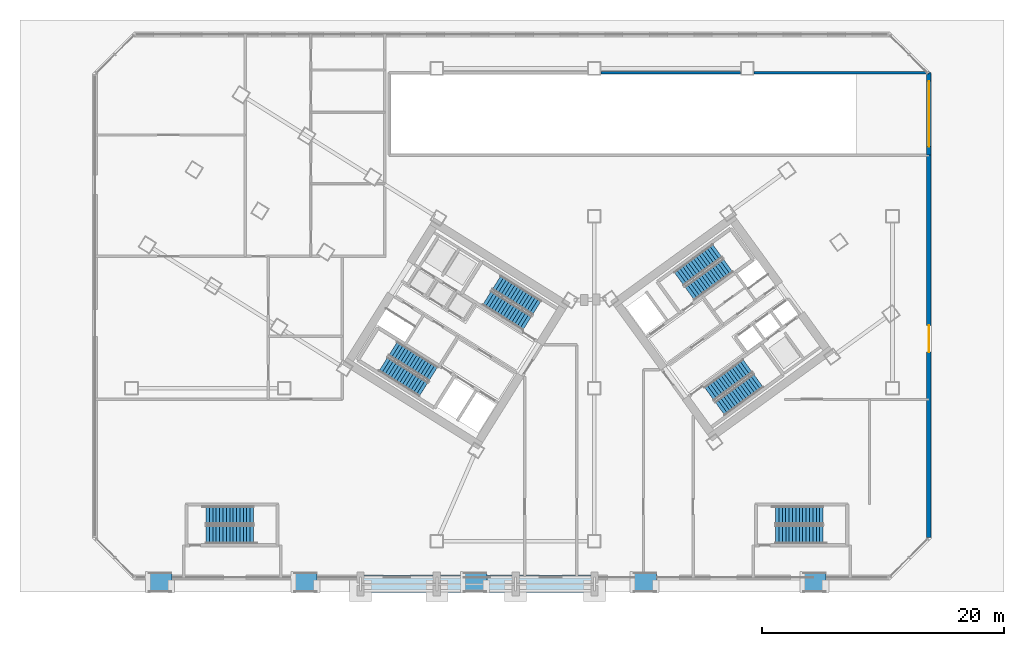
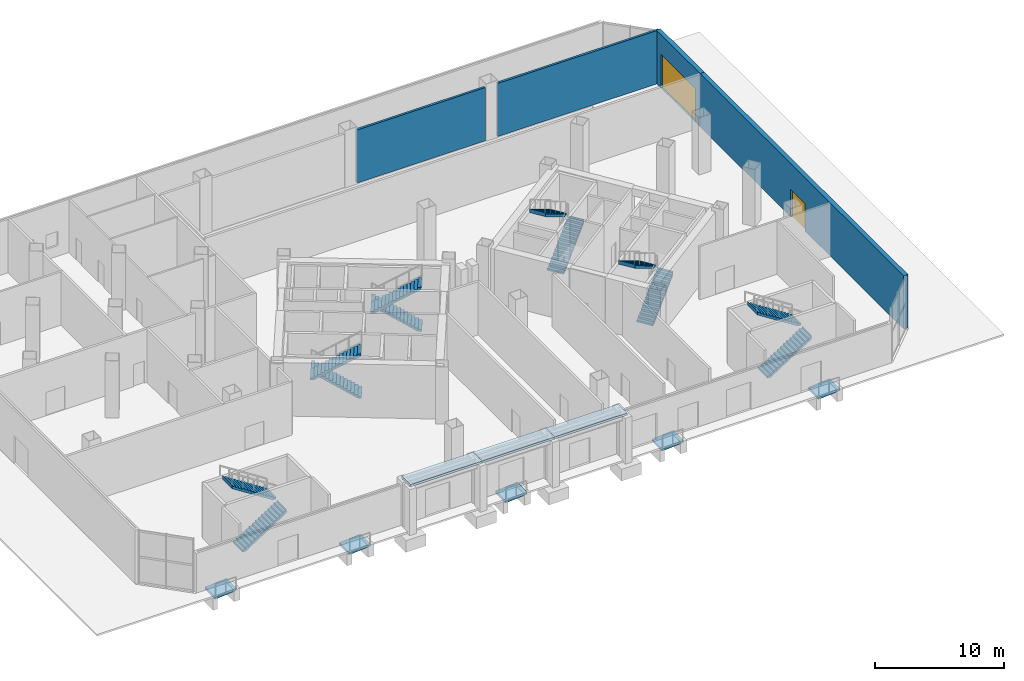
# One storey, part 14 of 22: 12 stair flights, 5 ramp flights, 4 walls, 3 roofs, 2 doors, 2 openings, 11 elements without a shape of their own.
"""IFC4 building model written with IfcOpenShell, lengths in metres."""

from ifc_helpers import new_model, si_unit, direction, frame, frame_2d, origin, place, context, subcontext, project, spatial, polyline, rectangle, outline, extrude, source, transform, mapped, material, layer, layer_set, type_object, element, fill, aggregate, save


model = new_model("IFC4")

# Units and contexts
model_context = context("Model", 3, precision=1e-05, world=origin(), true_north=direction((0.0, 1.0)))
body_context = subcontext(model_context, "Body", "Model", "MODEL_VIEW")
ifc_project = project(units=[si_unit("LENGTHUNIT", "METRE"), si_unit("AREAUNIT", "SQUARE_METRE"), si_unit("VOLUMEUNIT", "CUBIC_METRE"), si_unit("PLANEANGLEUNIT", "RADIAN"), si_unit("MASSUNIT", "GRAM", prefix="KILO")], contexts=[model_context])

# Site, building, storey
site_placement = place(None, origin())
site = spatial("IfcSite", under=ifc_project, at=site_placement, CompositionType="ELEMENT")
building_placement = place(site_placement, origin())
building = spatial("IfcBuilding", under=site, at=building_placement, Name="Tlacorven Tower", CompositionType="ELEMENT")
storey_placement = place(building_placement, origin())
storey = spatial("IfcBuildingStorey", under=building, at=storey_placement, Name="L00", CompositionType="ELEMENT", Elevation=0.0)

# Wall, opening, door
ifc_material_1 = material(Name="Precast concrete C45/55", Category="concrete")
ifc_layer_1 = layer(ifc_material_1, 0.3798828125)
ifc_layer_set_1 = layer_set([ifc_layer_1], Name="Precast concrete C45/55")
wall_type_1 = type_object("IfcWallType", Name="WL-EXT-380", PredefinedType="STANDARD", material=ifc_layer_set_1)
wall_1_placement = place(storey_placement, frame((70.39990234375, 4.8828125, 0.0), z_axis=(0.0, 0.0, 1.0), x_axis=(0.0, 1.0, 0.0)))
wall_1 = element("IfcWall", 1, at=wall_1_placement, inside=storey, type_object=wall_type_1, Name="L00 East Podium Masonry Facade South Segment", PredefinedType="STANDARD", context=body_context, shape_type="SweptSolid", body=[
    extrude(rectangle(XDim=31.567138671875, YDim=0.3798828125, at=frame_2d((15.78369140625, 0.0))), origin(), (0.0, 0.0, 1.0), 5.050048828125),
])
opening_1_placement = place(wall_1_placement, frame((15.317138671875, 0.0, 0.0)))
opening_1 = element("IfcOpeningElement", 2, at=opening_1_placement, cuts=wall_1, Name="Opening D02", PredefinedType="OPENING", context=body_context, shape_type="SweptSolid", body=[
    extrude(rectangle(XDim=2.199951171875, YDim=2.60009765625, at=frame_2d((1.10009765625, 1.300048828125))), frame((0.0, 0.199951171875, 0.0), z_axis=(0.0, -1.0, 0.0), x_axis=(1.0, 0.0, 0.0)), (0.0, 0.0, 1.0), 0.39990234375),
])
ifc_material_2 = material(Name="Powder-coated aluminium and timber door", Category="wood")
door_type_1 = type_object("IfcDoorType", Name="DR-EXT-ENTR-2200", OperationType="DOUBLE_DOOR_SINGLE_SWING", PredefinedType="DOOR", material=ifc_material_2)
shared_shape_1 = source(origin(), body_context, "Body", "SweptSolid", [
    extrude(rectangle(XDim=2.199951171875, YDim=2.60009765625, at=frame_2d((1.10009765625, 1.300048828125))), frame((0.0, 0.02490234375, 0.0), z_axis=(0.0, -1.0, 0.0), x_axis=(1.0, 0.0, 0.0)), (0.0, 0.0, 1.0), 0.050048828125),
])
door_1_placement = place(opening_1_placement, frame((2.199951171875, 0.0, 0.0), z_axis=(0.0, 0.0, 1.0), x_axis=(-1.0, 0.0, 0.0)))
door_1 = element("IfcDoor", 3, at=door_1_placement, inside=storey, type_object=door_type_1, Name="L00 East Concourse Street Entrance Door", OperationType="DOUBLE_DOOR_SINGLE_SWING", OverallHeight=2.60009765625, OverallWidth=2.199951171875, PredefinedType="DOOR", context=body_context, shape_type="MappedRepresentation", body=[
    mapped(shared_shape_1, transform((0.0, 0.0, 0.0), scale=1.0)),
])
fill(opening_1, door_1)

wall_2_placement = place(storey_placement, frame((70.39990234375, 36.449951171875, 0.0), z_axis=(0.0, 0.0, 1.0), x_axis=(0.0, 1.0, 0.0)))
wall_2 = element("IfcWall", 4, at=wall_2_placement, inside=storey, type_object=wall_type_1, Name="L00 Car Park Ramp Portal Masonry Arch Wall", PredefinedType="STANDARD", context=body_context, shape_type="SweptSolid", body=[
    extrude(rectangle(XDim=6.800048828125, YDim=0.3798828125, at=frame_2d((3.39990234375, 0.0))), origin(), (0.0, 0.0, 1.0), 5.050048828125),
])
opening_2_placement = place(wall_2_placement, frame((0.699951171875, 0.0, 0.0)))
opening_2 = element("IfcOpeningElement", 5, at=opening_2_placement, cuts=wall_2, Name="Opening VG01", PredefinedType="OPENING", context=body_context, shape_type="SweptSolid", body=[
    extrude(rectangle(XDim=5.39990234375, YDim=3.199951171875, at=frame_2d((2.699951171875, 1.60009765625))), frame((0.0, 0.199951171875, 0.0), z_axis=(0.0, -1.0, 0.0), x_axis=(1.0, 0.0, 0.0)), (0.0, 0.0, 1.0), 0.39990234375),
])
ifc_material_3 = material(Name="Galvanised steel roller shutter", Category="steel")
door_type_2 = type_object("IfcDoorType", Name="DR-VEH-GATE-5400", OperationType="ROLLINGUP", PredefinedType="GATE", material=ifc_material_3)
shared_shape_2 = source(origin(), body_context, "Body", "SweptSolid", [
    extrude(rectangle(XDim=5.39990234375, YDim=3.199951171875, at=frame_2d((2.699951171875, 1.60009765625))), frame((0.0, 0.02490234375, 0.0), z_axis=(0.0, -1.0, 0.0), x_axis=(1.0, 0.0, 0.0)), (0.0, 0.0, 1.0), 0.050048828125),
])
door_2_placement = place(opening_2_placement, origin())
door_2 = element("IfcDoor", 6, at=door_2_placement, inside=storey, type_object=door_type_2, Name="L00 Car Park Ramp Security Roller Shutter Gate", OperationType="ROLLINGUP", OverallHeight=3.199951171875, OverallWidth=5.39990234375, PredefinedType="GATE", context=body_context, shape_type="MappedRepresentation", body=[
    mapped(shared_shape_2, transform((0.0, 0.0, 0.0), scale=1.0)),
])
fill(opening_2, door_2)

# Walls
ifc_material_4 = material(Name="Concrete C40/50", Category="concrete")
ifc_layer_2 = layer(ifc_material_4, 0.199951171875)
ifc_layer_set_2 = layer_set([ifc_layer_2], Name="Concrete C40/50")
wall_type_2 = type_object("IfcWallType", Name="WL-SHF-200", PredefinedType="STANDARD", material=ifc_layer_set_2)
wall_3_placement = place(storey_placement, frame((43.35205078125, 43.25, 0.0), z_axis=(0.0, 0.0, 1.0), x_axis=(1.0, 0.0, 0.0)))
element("IfcWall", 7, at=wall_3_placement, inside=storey, type_object=wall_type_2, Name="L00 partition 85", PredefinedType="STANDARD", context=body_context, shape_type="SweptSolid", body=[
    extrude(rectangle(XDim=11.495849609375, YDim=0.199951171875, at=frame_2d((5.748046875, 0.0))), origin(), (0.0, 0.0, 1.0), 5.0400390625),
])
wall_4_placement = place(storey_placement, frame((55.951904296875, 43.25, 0.0), z_axis=(0.0, 0.0, 1.0), x_axis=(1.0, 0.0, 0.0)))
element("IfcWall", 8, at=wall_4_placement, inside=storey, type_object=wall_type_2, Name="L00 partition 85", PredefinedType="STANDARD", context=body_context, shape_type="SweptSolid", body=[
    extrude(rectangle(XDim=14.447998046875, YDim=0.199951171875, at=frame_2d((7.22412109375, 0.0))), origin(), (0.0, 0.0, 1.0), 5.0400390625),
])

# Stair, stair flights
stair_type_1 = type_object("IfcStairType", Name="ST-CORE-DLG", PredefinedType="HALF_TURN_STAIR", material=ifc_material_4)
stair_1_placement = place(storey_placement, origin())
stair_1 = element("IfcStair", 9, at=stair_1_placement, inside=storey, type_object=stair_type_1, Name="L00 Protected Exit Stair West 1", PredefinedType="HALF_TURN_STAIR")
stair_flight_type_1 = type_object("IfcStairFlightType", Name="SFL-RC-1380", PredefinedType="STRAIGHT", material=ifc_material_4)
shared_shape_3 = source(origin(), body_context, "Body", "SweptSolid", [
    extrude(outline(polyline([(-0.0029296875, -0.0029296875), (-0.0029296875, 0.179931640625), (0.280029296875, 0.179931640625), (0.280029296875, 0.360107421875), (0.56005859375, 0.360107421875), (0.56005859375, 0.5400390625), (0.840087890625, 0.5400390625), (0.840087890625, 0.719970703125), (1.1201171875, 0.719970703125), (1.1201171875, 0.89990234375), (1.39990234375, 0.89990234375), (1.39990234375, 1.080078125), (1.679931640625, 1.080078125), (1.679931640625, 1.260009765625), (1.9599609375, 1.260009765625), (1.9599609375, 1.43994140625), (2.239990234375, 1.43994140625), (2.239990234375, 1.6201171875), (2.52001953125, 1.6201171875), (2.52001953125, 1.800048828125), (2.800048828125, 1.800048828125), (2.800048828125, 1.97998046875), (3.080078125, 1.97998046875), (3.080078125, 2.159912109375), (3.360107421875, 2.159912109375), (3.360107421875, 2.340087890625), (3.639892578125, 2.340087890625), (3.639892578125, 2.52001953125), (3.919921875, 2.52001953125), (3.919921875, 2.699951171875), (3.923095703125, 2.699951171875), (3.923095703125, 2.329833984375), (3.919921875, 2.329833984375), (0.295654296875, 0.0), (0.295654296875, -0.0029296875), (-0.0029296875, -0.0029296875)])), frame((0.0, 0.68994140625, 0.0), z_axis=(0.0, -1.0, 0.0), x_axis=(1.0, 0.0, 0.0)), (0.0, 0.0, 1.0), 1.3798828125),
])
stair_flight_1_placement = place(storey_placement, frame((29.499755859375, 18.39453125, 0.0), z_axis=(0.0, 0.0, 1.0), x_axis=(-0.848048096156, 0.529919264233, 0.0)))
stair_flight_1 = element("IfcStairFlight", 10, at=stair_flight_1_placement, type_object=stair_flight_type_1, Name="ST-W1 flight 1", NumberOfRisers=15, NumberOfTreads=14, PredefinedType="STRAIGHT", RiserHeight=0.18, TreadLength=0.28, context=body_context, shape_type="MappedRepresentation", body=[
    mapped(shared_shape_3, transform((0.0, 0.0, 0.0), scale=1.0)),
])
stair_flight_2_placement = place(storey_placement, frame((25.380615234375, 19.19970703125, 2.699951171875), z_axis=(0.0, 0.0, 1.0), x_axis=(0.848048096156, -0.529919264233, 0.0)))
stair_flight_2 = element("IfcStairFlight", 11, at=stair_flight_2_placement, type_object=stair_flight_type_1, Name="ST-W1 flight 2", NumberOfRisers=15, NumberOfTreads=14, PredefinedType="STRAIGHT", RiserHeight=0.18, TreadLength=0.28, context=body_context, shape_type="MappedRepresentation", body=[
    mapped(shared_shape_3, transform((0.0, 0.0, 0.0), scale=1.0)),
])
aggregate(stair_1, [stair_flight_1, stair_flight_2])

stair_2_placement = place(storey_placement, origin())
stair_2 = element("IfcStair", 12, at=stair_2_placement, inside=storey, type_object=stair_type_1, Name="L00 Protected Exit Stair West 2", PredefinedType="HALF_TURN_STAIR")
stair_flight_3_placement = place(storey_placement, frame((38.051513671875, 23.852294921875, 0.0), z_axis=(0.0, 0.0, 1.0), x_axis=(-0.848048096156, 0.529919264233, 0.0)))
stair_flight_3 = element("IfcStairFlight", 13, at=stair_flight_3_placement, type_object=stair_flight_type_1, Name="ST-W2 flight 1", NumberOfRisers=15, NumberOfTreads=14, PredefinedType="STRAIGHT", RiserHeight=0.18, TreadLength=0.28, context=body_context, shape_type="MappedRepresentation", body=[
    mapped(shared_shape_3, transform((0.0, 0.0, 0.0), scale=1.0)),
])
stair_flight_4_placement = place(storey_placement, frame((33.93212890625, 24.657470703125, 2.699951171875), z_axis=(0.0, 0.0, 1.0), x_axis=(0.848048096156, -0.529919264233, 0.0)))
stair_flight_4 = element("IfcStairFlight", 14, at=stair_flight_4_placement, type_object=stair_flight_type_1, Name="ST-W2 flight 2", NumberOfRisers=15, NumberOfTreads=14, PredefinedType="STRAIGHT", RiserHeight=0.18, TreadLength=0.28, context=body_context, shape_type="MappedRepresentation", body=[
    mapped(shared_shape_3, transform((0.0, 0.0, 0.0), scale=1.0)),
])
aggregate(stair_2, [stair_flight_3, stair_flight_4])

stair_3_placement = place(storey_placement, origin())
stair_3 = element("IfcStair", 15, at=stair_3_placement, inside=storey, type_object=stair_type_1, Name="L00 Protected Exit Stair East 1", PredefinedType="HALF_TURN_STAIR")
stair_flight_5_placement = place(storey_placement, frame((50.6533203125, 25.0400390625, 0.0), z_axis=(0.0, 0.0, 1.0), x_axis=(0.809016994375, 0.587785252292, 0.0)))
stair_flight_5 = element("IfcStairFlight", 16, at=stair_flight_5_placement, type_object=stair_flight_type_1, Name="ST-E1 flight 1", NumberOfRisers=15, NumberOfTreads=14, PredefinedType="STRAIGHT", RiserHeight=0.18, TreadLength=0.28, context=body_context, shape_type="MappedRepresentation", body=[
    mapped(shared_shape_3, transform((0.0, 0.0, 0.0), scale=1.0)),
])
stair_flight_6_placement = place(storey_placement, frame((52.943115234375, 28.5576171875, 2.699951171875), z_axis=(0.0, 0.0, 1.0), x_axis=(-0.809016994375, -0.587785252292, 0.0)))
stair_flight_6 = element("IfcStairFlight", 17, at=stair_flight_6_placement, type_object=stair_flight_type_1, Name="ST-E1 flight 2", NumberOfRisers=15, NumberOfTreads=14, PredefinedType="STRAIGHT", RiserHeight=0.18, TreadLength=0.28, context=body_context, shape_type="MappedRepresentation", body=[
    mapped(shared_shape_3, transform((0.0, 0.0, 0.0), scale=1.0)),
])
aggregate(stair_3, [stair_flight_5, stair_flight_6])

stair_4_placement = place(storey_placement, origin())
stair_4 = element("IfcStair", 18, at=stair_4_placement, inside=storey, type_object=stair_type_1, Name="L00 Protected Exit Stair East 2", PredefinedType="HALF_TURN_STAIR")
stair_flight_7_placement = place(storey_placement, frame((53.157470703125, 15.536865234375, 0.0), z_axis=(0.0, 0.0, 1.0), x_axis=(0.809016994375, 0.587785252292, 0.0)))
stair_flight_7 = element("IfcStairFlight", 19, at=stair_flight_7_placement, type_object=stair_flight_type_1, Name="ST-E2 flight 1", NumberOfRisers=15, NumberOfTreads=14, PredefinedType="STRAIGHT", RiserHeight=0.18, TreadLength=0.28, context=body_context, shape_type="MappedRepresentation", body=[
    mapped(shared_shape_3, transform((0.0, 0.0, 0.0), scale=1.0)),
])
stair_flight_8_placement = place(storey_placement, frame((55.447021484375, 19.054443359375, 2.699951171875), z_axis=(0.0, 0.0, 1.0), x_axis=(-0.809016994375, -0.587785252292, 0.0)))
stair_flight_8 = element("IfcStairFlight", 20, at=stair_flight_8_placement, type_object=stair_flight_type_1, Name="ST-E2 flight 2", NumberOfRisers=15, NumberOfTreads=14, PredefinedType="STRAIGHT", RiserHeight=0.18, TreadLength=0.28, context=body_context, shape_type="MappedRepresentation", body=[
    mapped(shared_shape_3, transform((0.0, 0.0, 0.0), scale=1.0)),
])
aggregate(stair_4, [stair_flight_7, stair_flight_8])

stair_type_2 = type_object("IfcStairType", Name="ST-POD-DLG", PredefinedType="HALF_TURN_STAIR", material=ifc_material_4)
stair_5_placement = place(storey_placement, origin())
stair_5 = element("IfcStair", 21, at=stair_5_placement, inside=storey, type_object=stair_type_2, Name="L00 Podium Station Exit Stair 1", PredefinedType="HALF_TURN_STAIR")
stair_flight_type_2 = type_object("IfcStairFlightType", Name="SFL-RC-1480", PredefinedType="STRAIGHT", material=ifc_material_4)
shared_shape_4 = source(origin(), body_context, "Body", "SweptSolid", [
    extrude(outline(polyline([(-0.0029296875, -0.0029296875), (-0.0029296875, 0.179931640625), (0.280029296875, 0.179931640625), (0.280029296875, 0.360107421875), (0.56005859375, 0.360107421875), (0.56005859375, 0.5400390625), (0.840087890625, 0.5400390625), (0.840087890625, 0.719970703125), (1.1201171875, 0.719970703125), (1.1201171875, 0.89990234375), (1.39990234375, 0.89990234375), (1.39990234375, 1.080078125), (1.679931640625, 1.080078125), (1.679931640625, 1.260009765625), (1.9599609375, 1.260009765625), (1.9599609375, 1.43994140625), (2.239990234375, 1.43994140625), (2.239990234375, 1.6201171875), (2.52001953125, 1.6201171875), (2.52001953125, 1.800048828125), (2.800048828125, 1.800048828125), (2.800048828125, 1.97998046875), (3.080078125, 1.97998046875), (3.080078125, 2.159912109375), (3.360107421875, 2.159912109375), (3.360107421875, 2.340087890625), (3.639892578125, 2.340087890625), (3.639892578125, 2.52001953125), (3.919921875, 2.52001953125), (3.919921875, 2.699951171875), (3.923095703125, 2.699951171875), (3.923095703125, 2.329833984375), (3.919921875, 2.329833984375), (0.295654296875, 0.0), (0.295654296875, -0.0029296875), (-0.0029296875, -0.0029296875)])), frame((0.0, 0.739990234375, 0.0), z_axis=(0.0, -1.0, 0.0), x_axis=(1.0, 0.0, 0.0)), (0.0, 0.0, 1.0), 1.47998046875),
])
stair_flight_9_placement = place(storey_placement, frame((10.75, 5.139892578125, 0.0), z_axis=(0.0, 0.0, 1.0), x_axis=(1.0, 0.0, 0.0)))
stair_flight_9 = element("IfcStairFlight", 22, at=stair_flight_9_placement, type_object=stair_flight_type_2, Name="ST-P1 flight 1", NumberOfRisers=15, NumberOfTreads=14, PredefinedType="STRAIGHT", RiserHeight=0.18, TreadLength=0.28, context=body_context, shape_type="MappedRepresentation", body=[
    mapped(shared_shape_4, transform((0.0, 0.0, 0.0), scale=1.0)),
])
stair_flight_10_placement = place(storey_placement, frame((14.669921875, 6.739990234375, 2.699951171875), z_axis=(0.0, 0.0, 1.0), x_axis=(-1.0, 0.0, 0.0)))
stair_flight_10 = element("IfcStairFlight", 23, at=stair_flight_10_placement, type_object=stair_flight_type_2, Name="ST-P1 flight 2", NumberOfRisers=15, NumberOfTreads=14, PredefinedType="STRAIGHT", RiserHeight=0.18, TreadLength=0.28, context=body_context, shape_type="MappedRepresentation", body=[
    mapped(shared_shape_4, transform((0.0, 0.0, 0.0), scale=1.0)),
])
aggregate(stair_5, [stair_flight_9, stair_flight_10])

stair_6_placement = place(storey_placement, origin())
stair_6 = element("IfcStair", 24, at=stair_6_placement, inside=storey, type_object=stair_type_2, Name="L00 Podium Station Exit Stair 2", PredefinedType="HALF_TURN_STAIR")
stair_flight_11_placement = place(storey_placement, frame((57.75, 5.139892578125, 0.0), z_axis=(0.0, 0.0, 1.0), x_axis=(1.0, 0.0, 0.0)))
stair_flight_11 = element("IfcStairFlight", 25, at=stair_flight_11_placement, type_object=stair_flight_type_2, Name="ST-P2 flight 1", NumberOfRisers=15, NumberOfTreads=14, PredefinedType="STRAIGHT", RiserHeight=0.18, TreadLength=0.28, context=body_context, shape_type="MappedRepresentation", body=[
    mapped(shared_shape_4, transform((0.0, 0.0, 0.0), scale=1.0)),
])
stair_flight_12_placement = place(storey_placement, frame((61.669921875, 6.739990234375, 2.699951171875), z_axis=(0.0, 0.0, 1.0), x_axis=(-1.0, 0.0, 0.0)))
stair_flight_12 = element("IfcStairFlight", 26, at=stair_flight_12_placement, type_object=stair_flight_type_2, Name="ST-P2 flight 2", NumberOfRisers=15, NumberOfTreads=14, PredefinedType="STRAIGHT", RiserHeight=0.18, TreadLength=0.28, context=body_context, shape_type="MappedRepresentation", body=[
    mapped(shared_shape_4, transform((0.0, 0.0, 0.0), scale=1.0)),
])
aggregate(stair_6, [stair_flight_11, stair_flight_12])

# Ramp, ramp flight
ramp_type = type_object("IfcRampType", Name="RMP-ACC-01", PredefinedType="STRAIGHT_RUN_RAMP", material=ifc_material_4)
ramp_1_placement = place(storey_placement, origin())
ramp_1 = element("IfcRamp", 27, at=ramp_1_placement, inside=storey, type_object=ramp_type, Name="L00 Forecourt Accessible Ramp 1", PredefinedType="STRAIGHT_RUN_RAMP")
ifc_layer_3 = layer(ifc_material_4, 0.219970703125)
ifc_layer_set_3 = layer_set([ifc_layer_3], Name="Concrete C40/50")
ramp_flight_type = type_object("IfcRampFlightType", Name="RFL-ACC-01", PredefinedType="STRAIGHT", material=ifc_layer_set_3)
ramp_flight_1_placement = place(storey_placement, frame((6.0, 0.419921875, -0.159912109375), z_axis=(0.0, 0.0, 1.0), x_axis=(1.0, 0.0, 0.0)))
ramp_flight_1 = element("IfcRampFlight", 28, at=ramp_flight_1_placement, type_object=ramp_flight_type, Name="L00 Forecourt Step-Free Kerb Ramp Flight 1", PredefinedType="STRAIGHT", context=body_context, shape_type="SweptSolid", body=[
    extrude(outline(polyline([(-0.0029296875, -0.219970703125), (-0.0029296875, 0.0), (1.9228515625, 0.159912109375), (1.9228515625, -0.06005859375), (-0.0029296875, -0.219970703125)])), frame((0.0, 1.56005859375, 0.0), z_axis=(0.0, -1.0, 0.0), x_axis=(1.0, 0.0, 0.0)), (0.0, 0.0, 1.0), 1.56005859375),
])
aggregate(ramp_1, [ramp_flight_1])

ramp_2_placement = place(storey_placement, origin())
ramp_2 = element("IfcRamp", 29, at=ramp_2_placement, inside=storey, type_object=ramp_type, Name="L00 Forecourt Accessible Ramp 2", PredefinedType="STRAIGHT_RUN_RAMP")
ramp_flight_2_placement = place(storey_placement, frame((18.0, 0.419921875, -0.159912109375), z_axis=(0.0, 0.0, 1.0), x_axis=(1.0, 0.0, 0.0)))
ramp_flight_2 = element("IfcRampFlight", 30, at=ramp_flight_2_placement, type_object=ramp_flight_type, Name="L00 Forecourt Step-Free Kerb Ramp Flight 2", PredefinedType="STRAIGHT", context=body_context, shape_type="SweptSolid", body=[
    extrude(outline(polyline([(-0.0029296875, -0.219970703125), (-0.0029296875, 0.0), (1.9228515625, 0.159912109375), (1.9228515625, -0.06005859375), (-0.0029296875, -0.219970703125)])), frame((0.0, 1.56005859375, 0.0), z_axis=(0.0, -1.0, 0.0), x_axis=(1.0, 0.0, 0.0)), (0.0, 0.0, 1.0), 1.56005859375),
])
aggregate(ramp_2, [ramp_flight_2])

ramp_3_placement = place(storey_placement, origin())
ramp_3 = element("IfcRamp", 31, at=ramp_3_placement, inside=storey, type_object=ramp_type, Name="L00 Forecourt Accessible Ramp 3", PredefinedType="STRAIGHT_RUN_RAMP")
ramp_flight_3_placement = place(storey_placement, frame((32.0, 0.419921875, -0.159912109375), z_axis=(0.0, 0.0, 1.0), x_axis=(1.0, 0.0, 0.0)))
ramp_flight_3 = element("IfcRampFlight", 32, at=ramp_flight_3_placement, type_object=ramp_flight_type, Name="L00 Forecourt Step-Free Kerb Ramp Flight 3", PredefinedType="STRAIGHT", context=body_context, shape_type="SweptSolid", body=[
    extrude(outline(polyline([(-0.0029296875, -0.219970703125), (-0.0029296875, 0.0), (1.9228515625, 0.159912109375), (1.9228515625, -0.06005859375), (-0.0029296875, -0.219970703125)])), frame((0.0, 1.56005859375, 0.0), z_axis=(0.0, -1.0, 0.0), x_axis=(1.0, 0.0, 0.0)), (0.0, 0.0, 1.0), 1.56005859375),
])
aggregate(ramp_3, [ramp_flight_3])

ramp_4_placement = place(storey_placement, origin())
ramp_4 = element("IfcRamp", 33, at=ramp_4_placement, inside=storey, type_object=ramp_type, Name="L00 Forecourt Accessible Ramp 4", PredefinedType="STRAIGHT_RUN_RAMP")
ramp_flight_4_placement = place(storey_placement, frame((46.0, 0.419921875, -0.159912109375), z_axis=(0.0, 0.0, 1.0), x_axis=(1.0, 0.0, 0.0)))
ramp_flight_4 = element("IfcRampFlight", 34, at=ramp_flight_4_placement, type_object=ramp_flight_type, Name="L00 Forecourt Step-Free Kerb Ramp Flight 4", PredefinedType="STRAIGHT", context=body_context, shape_type="SweptSolid", body=[
    extrude(outline(polyline([(-0.0029296875, -0.219970703125), (-0.0029296875, 0.0), (1.9228515625, 0.159912109375), (1.9228515625, -0.06005859375), (-0.0029296875, -0.219970703125)])), frame((0.0, 1.56005859375, 0.0), z_axis=(0.0, -1.0, 0.0), x_axis=(1.0, 0.0, 0.0)), (0.0, 0.0, 1.0), 1.56005859375),
])
aggregate(ramp_4, [ramp_flight_4])

ramp_5_placement = place(storey_placement, origin())
ramp_5 = element("IfcRamp", 35, at=ramp_5_placement, inside=storey, type_object=ramp_type, Name="L00 Forecourt Accessible Ramp 5", PredefinedType="STRAIGHT_RUN_RAMP")
ramp_flight_5_placement = place(storey_placement, frame((60.0, 0.419921875, -0.159912109375), z_axis=(0.0, 0.0, 1.0), x_axis=(1.0, 0.0, 0.0)))
ramp_flight_5 = element("IfcRampFlight", 36, at=ramp_flight_5_placement, type_object=ramp_flight_type, Name="L00 Forecourt Step-Free Kerb Ramp Flight 5", PredefinedType="STRAIGHT", context=body_context, shape_type="SweptSolid", body=[
    extrude(outline(polyline([(-0.0029296875, -0.219970703125), (-0.0029296875, 0.0), (1.9228515625, 0.159912109375), (1.9228515625, -0.06005859375), (-0.0029296875, -0.219970703125)])), frame((0.0, 1.56005859375, 0.0), z_axis=(0.0, -1.0, 0.0), x_axis=(1.0, 0.0, 0.0)), (0.0, 0.0, 1.0), 1.56005859375),
])
aggregate(ramp_5, [ramp_flight_5])

# Roofs
ifc_layer_4 = layer(ifc_material_4, 0.219970703125)
ifc_layer_set_4 = layer_set([ifc_layer_4], Name="Concrete C40/50")
roof_type = type_object("IfcRoofType", Name="RF-CAN-STN", PredefinedType="FLAT_ROOF", material=ifc_layer_set_4)
roof_1_placement = place(storey_placement, frame((0.0, 0.0, 4.179931640625)))
element("IfcRoof", 37, at=roof_1_placement, inside=storey, type_object=roof_type, Name="L00 Metrorrey Station Entrance Canopy Roof Panel 1", PredefinedType="FLAT_ROOF", context=body_context, shape_type="SweptSolid", body=[
    extrude(outline(polyline([(23.449951171875, 0.35009765625), (29.85009765625, 0.35009765625), (29.85009765625, 1.75), (23.449951171875, 1.75), (23.449951171875, 0.35009765625)])), origin(), (0.0, 0.0, 1.0), 0.219970703125),
])
roof_2_placement = place(storey_placement, frame((0.0, 0.0, 4.179931640625)))
element("IfcRoof", 38, at=roof_2_placement, inside=storey, type_object=roof_type, Name="L00 Metrorrey Station Entrance Canopy Roof Panel 2", PredefinedType="FLAT_ROOF", context=body_context, shape_type="SweptSolid", body=[
    extrude(outline(polyline([(29.75, 0.35009765625), (36.35009765625, 0.35009765625), (36.35009765625, 1.75), (29.75, 1.75), (29.75, 0.35009765625)])), origin(), (0.0, 0.0, 1.0), 0.219970703125),
])
roof_3_placement = place(storey_placement, frame((0.0, 0.0, 4.179931640625)))
element("IfcRoof", 39, at=roof_3_placement, inside=storey, type_object=roof_type, Name="L00 Metrorrey Station Entrance Canopy Roof Panel 3", PredefinedType="FLAT_ROOF", context=body_context, shape_type="SweptSolid", body=[
    extrude(outline(polyline([(36.25, 0.35009765625), (42.85009765625, 0.35009765625), (42.85009765625, 1.75), (36.25, 1.75), (36.25, 0.35009765625)])), origin(), (0.0, 0.0, 1.0), 0.219970703125),
])

save(model, "model.ifc")
